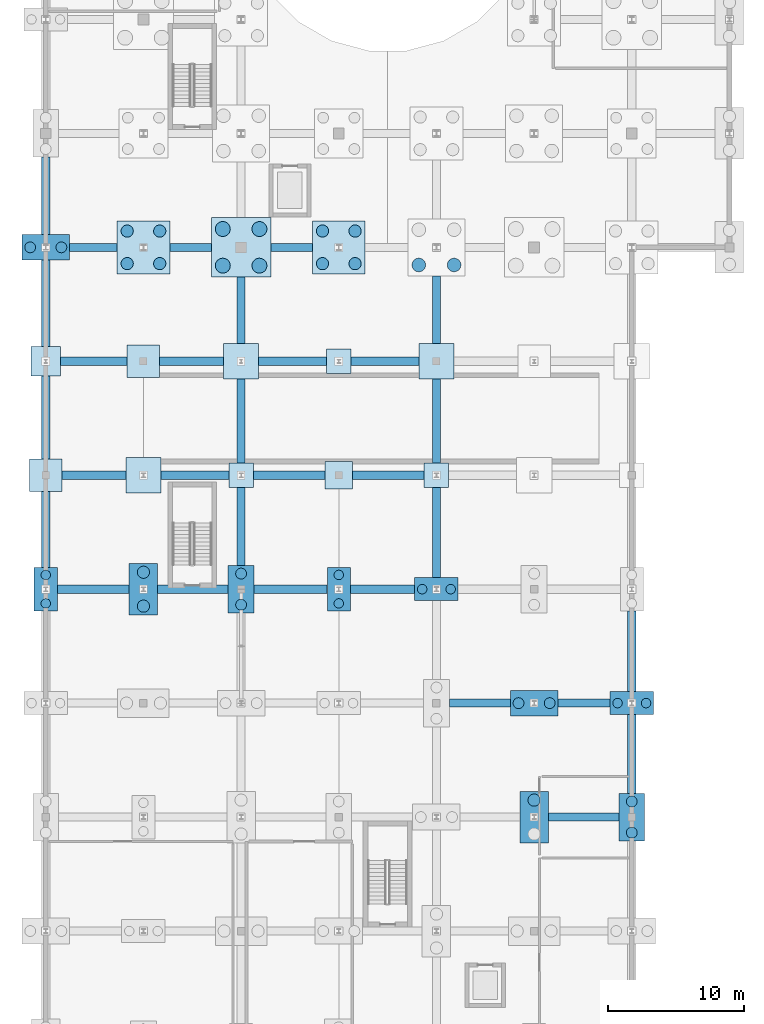
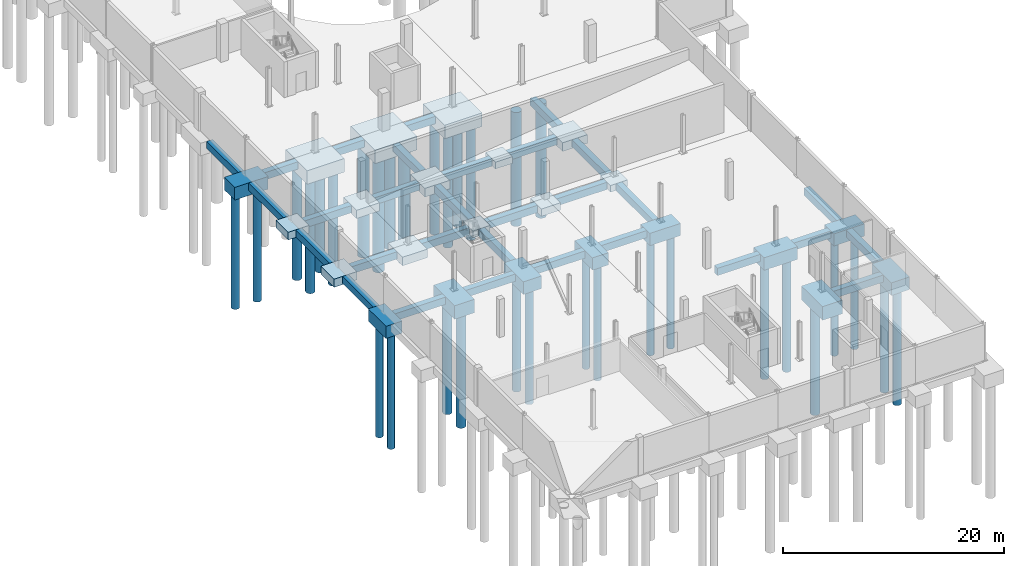
# One storey, part 2 of 32: 53 footings, 33 piles.
"""IFC4 building model written with IfcOpenShell, lengths in metres."""

from ifc_helpers import new_model, si_unit, direction, frame, origin, origin_2d, place, context, subcontext, project, spatial, polyline, rectangle, circle, outline, extrude, material, layer, layer_set, material_profile, profile_set, type_object, element, save


model = new_model("IFC4")

# Units and contexts
model_context = context("Model", 3, precision=1e-05, world=origin(), true_north=direction((0.0, 1.0)))
body_context = subcontext(model_context, "Body", "Model", "MODEL_VIEW")
ifc_project = project(units=[si_unit("LENGTHUNIT", "METRE"), si_unit("AREAUNIT", "SQUARE_METRE"), si_unit("VOLUMEUNIT", "CUBIC_METRE"), si_unit("PLANEANGLEUNIT", "RADIAN"), si_unit("MASSUNIT", "GRAM", prefix="KILO")], contexts=[model_context])

# Site, building, storey
site_placement = place(None, origin())
site = spatial("IfcSite", under=ifc_project, at=site_placement, CompositionType="ELEMENT")
building_placement = place(site_placement, origin())
building = spatial("IfcBuilding", under=site, at=building_placement, Name="Qelthora Terrace Specialist Clinic", CompositionType="ELEMENT")
storey_placement = place(building_placement, frame((0.0, 0.0, -4.199951171875)))
storey = spatial("IfcBuildingStorey", under=building, at=storey_placement, Name="B1", CompositionType="ELEMENT", Elevation=-4.199951171875)

# Footings
ifc_material = material(Name="Concrete C35/45", Category="concrete")
ifc_layer_1 = layer(ifc_material, 1.35009765625)
ifc_layer_set_1 = layer_set([ifc_layer_1], Name="Concrete C35/45")
footing_type_1 = type_object("IfcFootingType", Name="PC-1700X3200X1350", PredefinedType="PILE_CAP", material=ifc_layer_set_1)
for number, where, z_axis, x_axis, name in (
    (1, (0.0, 33.60009765625, -1.650146484375), (0.0, 0.0, 1.0), (1.0, 0.0, 0.0), "Foundation FTG-B1-005"),
    (2, (21.60009765625, 33.60009765625, -1.650146484375), (0.0, 0.0, 1.0), (1.0, 0.0, 0.0), "Foundation FTG-B1-047"),
):
    element("IfcFooting", number, at=place(storey_placement, frame(where, z_axis=z_axis, x_axis=x_axis)), inside=storey, type_object=footing_type_1, Name=name, PredefinedType="PILE_CAP", context=body_context, shape_type="SweptSolid", body=[
        extrude(rectangle(XDim=1.699951171875, YDim=3.199951171875, at=origin_2d()), origin(), (0.0, 0.0, 1.0), 1.35009765625),
    ])
ifc_layer_2 = layer(ifc_material, 1.39990234375)
ifc_layer_set_2 = layer_set([ifc_layer_2], Name="Concrete C35/45")
footing_type_2 = type_object("IfcFootingType", Name="PC-1900X3500X1400", PredefinedType="PILE_CAP", material=ifc_layer_set_2)
for number, where, z_axis, x_axis, name in (
    (3, (14.39990234375, 33.60009765625, -1.699951171875), (0.0, 0.0, 1.0), (1.0, 0.0, 0.0), "Foundation FTG-B1-033"),
    (4, (43.199951171875, 16.800048828125, -1.699951171875), (0.0, 0.0, 1.0), (1.0, 0.0, 0.0), "Foundation FTG-B1-081"),
):
    element("IfcFooting", number, at=place(storey_placement, frame(where, z_axis=z_axis, x_axis=x_axis)), inside=storey, type_object=footing_type_2, Name=name, PredefinedType="PILE_CAP", context=body_context, shape_type="SweptSolid", body=[
        extrude(rectangle(XDim=1.89990234375, YDim=3.5, at=origin_2d()), origin(), (0.0, 0.0, 1.0), 1.39990234375),
    ])
ifc_layer_3 = layer(ifc_material, 1.5)
ifc_layer_set_3 = layer_set([ifc_layer_3], Name="Concrete C35/45")
footing_type_3 = type_object("IfcFootingType", Name="PC-2100X3800X1500", PredefinedType="PILE_CAP", material=ifc_layer_set_3)
for number, where, z_axis, x_axis, name in (
    (5, (7.199951171875, 33.60009765625, -1.800048828125), (0.0, 0.0, 1.0), (1.0, 0.0, 0.0), "Foundation FTG-B1-019"),
    (6, (36.0, 16.800048828125, -1.800048828125), (0.0, 0.0, 1.0), (1.0, 0.0, 0.0), "Foundation FTG-B1-067"),
):
    element("IfcFooting", number, at=place(storey_placement, frame(where, z_axis=z_axis, x_axis=x_axis)), inside=storey, type_object=footing_type_3, Name=name, PredefinedType="PILE_CAP", context=body_context, shape_type="SweptSolid", body=[
        extrude(rectangle(XDim=2.10009765625, YDim=3.800048828125, at=origin_2d()), origin(), (0.0, 0.0, 1.0), 1.5),
    ])
ifc_layer_4 = layer(ifc_material, 1.35009765625)
ifc_layer_set_4 = layer_set([ifc_layer_4], Name="Concrete C35/45")
footing_type_4 = type_object("IfcFootingType", Name="PC-3200X1700X1350", PredefinedType="PILE_CAP", material=ifc_layer_set_4)
for number, where, z_axis, x_axis, name in (
    (7, (28.800048828125, 33.60009765625, -1.650146484375), (0.0, 0.0, 1.0), (1.0, 0.0, 0.0), "Foundation FTG-B1-058"),
    (8, (43.199951171875, 25.199951171875, -1.650146484375), (0.0, 0.0, 1.0), (1.0, 0.0, 0.0), "Foundation FTG-B1-082"),
):
    element("IfcFooting", number, at=place(storey_placement, frame(where, z_axis=z_axis, x_axis=x_axis)), inside=storey, type_object=footing_type_4, Name=name, PredefinedType="PILE_CAP", context=body_context, shape_type="SweptSolid", body=[
        extrude(rectangle(XDim=3.199951171875, YDim=1.699951171875, at=origin_2d()), origin(), (0.0, 0.0, 1.0), 1.35009765625),
    ])
ifc_layer_5 = layer(ifc_material, 1.39990234375)
ifc_layer_set_5 = layer_set([ifc_layer_5], Name="Concrete C35/45")
footing_type_5 = type_object("IfcFootingType", Name="PC-3500X1900X1400", PredefinedType="PILE_CAP", material=ifc_layer_set_5)
for number, where, z_axis, x_axis, name in (
    (9, (0.0, 58.800048828125, -1.699951171875), (0.0, 0.0, 1.0), (1.0, 0.0, 0.0), "Foundation FTG-B1-008"),
    (10, (36.0, 25.199951171875, -1.699951171875), (0.0, 0.0, 1.0), (1.0, 0.0, 0.0), "Foundation FTG-B1-068"),
):
    element("IfcFooting", number, at=place(storey_placement, frame(where, z_axis=z_axis, x_axis=x_axis)), inside=storey, type_object=footing_type_5, Name=name, PredefinedType="PILE_CAP", context=body_context, shape_type="SweptSolid", body=[
        extrude(rectangle(XDim=3.5, YDim=1.89990234375, at=origin_2d()), origin(), (0.0, 0.0, 1.0), 1.39990234375),
    ])
ifc_layer_6 = layer(ifc_material, 1.5)
ifc_layer_set_6 = layer_set([ifc_layer_6], Name="Concrete C35/45")
footing_type_6 = type_object("IfcFootingType", Name="PC-3900X3900X1500", PredefinedType="PILE_CAP", material=ifc_layer_set_6)
for number, where, z_axis, x_axis, name in (
    (11, (7.199951171875, 58.800048828125, -1.800048828125), (0.0, 0.0, 1.0), (1.0, 0.0, 0.0), "Foundation FTG-B1-022"),
    (12, (21.60009765625, 58.800048828125, -1.800048828125), (0.0, 0.0, 1.0), (1.0, 0.0, 0.0), "Foundation FTG-B1-050"),
):
    element("IfcFooting", number, at=place(storey_placement, frame(where, z_axis=z_axis, x_axis=x_axis)), inside=storey, type_object=footing_type_6, Name=name, PredefinedType="PILE_CAP", context=body_context, shape_type="SweptSolid", body=[
        extrude(rectangle(XDim=3.89990234375, YDim=3.89990234375, at=origin_2d()), origin(), (0.0, 0.0, 1.0), 1.5),
    ])
ifc_layer_7 = layer(ifc_material, 1.5)
ifc_layer_set_7 = layer_set([ifc_layer_7], Name="Concrete C35/45")
footing_type_7 = type_object("IfcFootingType", Name="PC-4400X4400X1500", PredefinedType="PILE_CAP", material=ifc_layer_set_7)
footing_1_placement = place(storey_placement, frame((14.39990234375, 58.800048828125, -1.800048828125), z_axis=(0.0, 0.0, 1.0), x_axis=(1.0, 0.0, 0.0)))
element("IfcFooting", 13, at=footing_1_placement, inside=storey, type_object=footing_type_7, Name="Foundation FTG-B1-036", PredefinedType="PILE_CAP", context=body_context, shape_type="SweptSolid", body=[
    extrude(rectangle(XDim=4.39990234375, YDim=4.39990234375, at=origin_2d()), origin(), (0.0, 0.0, 1.0), 1.5),
])
ifc_layer_8 = layer(ifc_material, 0.75)
ifc_layer_set_8 = layer_set([ifc_layer_8], Name="Concrete C35/45")
footing_type_8 = type_object("IfcFootingType", Name="PF-1800X1800X750", PredefinedType="PAD_FOOTING", material=ifc_layer_set_8)
for number, where, z_axis, x_axis, name in (
    (14, (14.39990234375, 42.0, -1.050048828125), (0.0, 0.0, 1.0), (1.0, 0.0, 0.0), "Foundation FTG-B1-034"),
    (15, (21.60009765625, 50.39990234375, -1.050048828125), (0.0, 0.0, 1.0), (1.0, 0.0, 0.0), "Foundation FTG-B1-049"),
    (16, (28.800048828125, 42.0, -1.050048828125), (0.0, 0.0, 1.0), (1.0, 0.0, 0.0), "Foundation FTG-B1-059"),
):
    element("IfcFooting", number, at=place(storey_placement, frame(where, z_axis=z_axis, x_axis=x_axis)), inside=storey, type_object=footing_type_8, Name=name, PredefinedType="PAD_FOOTING", context=body_context, shape_type="SweptSolid", body=[
        extrude(rectangle(XDim=1.800048828125, YDim=1.800048828125, at=origin_2d()), origin(), (0.0, 0.0, 1.0), 0.75),
    ])
ifc_layer_9 = layer(ifc_material, 0.800048828125)
ifc_layer_set_9 = layer_set([ifc_layer_9], Name="Concrete C35/45")
footing_type_9 = type_object("IfcFootingType", Name="PF-2000X2000X800", PredefinedType="PAD_FOOTING", material=ifc_layer_set_9)
footing_2_placement = place(storey_placement, frame((21.60009765625, 42.0, -1.10009765625), z_axis=(0.0, 0.0, 1.0), x_axis=(1.0, 0.0, 0.0)))
element("IfcFooting", 17, at=footing_2_placement, inside=storey, type_object=footing_type_9, Name="Foundation FTG-B1-048", PredefinedType="PAD_FOOTING", context=body_context, shape_type="SweptSolid", body=[
    extrude(rectangle(XDim=2.0, YDim=2.0, at=origin_2d()), origin(), (0.0, 0.0, 1.0), 0.800048828125),
])
ifc_layer_10 = layer(ifc_material, 0.85009765625)
ifc_layer_set_10 = layer_set([ifc_layer_10], Name="Concrete C35/45")
footing_type_10 = type_object("IfcFootingType", Name="PF-2200X2200X850", PredefinedType="PAD_FOOTING", material=ifc_layer_set_10)
footing_3_placement = place(storey_placement, frame((0.0, 50.39990234375, -1.150146484375), z_axis=(0.0, 0.0, 1.0), x_axis=(1.0, 0.0, 0.0)))
element("IfcFooting", 18, at=footing_3_placement, inside=storey, type_object=footing_type_10, Name="Foundation FTG-B1-007", PredefinedType="PAD_FOOTING", context=body_context, shape_type="SweptSolid", body=[
    extrude(rectangle(XDim=2.199951171875, YDim=2.199951171875, at=origin_2d()), origin(), (0.0, 0.0, 1.0), 0.85009765625),
])
ifc_layer_11 = layer(ifc_material, 0.89990234375)
ifc_layer_set_11 = layer_set([ifc_layer_11], Name="Concrete C35/45")
footing_type_11 = type_object("IfcFootingType", Name="PF-2400X2400X900", PredefinedType="PAD_FOOTING", material=ifc_layer_set_11)
for number, where, z_axis, x_axis, name in (
    (19, (0.0, 42.0, -1.199951171875), (0.0, 0.0, 1.0), (1.0, 0.0, 0.0), "Foundation FTG-B1-006"),
    (20, (7.199951171875, 50.39990234375, -1.199951171875), (0.0, 0.0, 1.0), (1.0, 0.0, 0.0), "Foundation FTG-B1-021"),
):
    element("IfcFooting", number, at=place(storey_placement, frame(where, z_axis=z_axis, x_axis=x_axis)), inside=storey, type_object=footing_type_11, Name=name, PredefinedType="PAD_FOOTING", context=body_context, shape_type="SweptSolid", body=[
        extrude(rectangle(XDim=2.39990234375, YDim=2.39990234375, at=origin_2d()), origin(), (0.0, 0.0, 1.0), 0.89990234375),
    ])
ifc_layer_12 = layer(ifc_material, 0.949951171875)
ifc_layer_set_12 = layer_set([ifc_layer_12], Name="Concrete C35/45")
footing_type_12 = type_object("IfcFootingType", Name="PF-2600X2600X950", PredefinedType="PAD_FOOTING", material=ifc_layer_set_12)
for number, where, z_axis, x_axis, name in (
    (21, (7.199951171875, 42.0, -1.25), (0.0, 0.0, 1.0), (1.0, 0.0, 0.0), "Foundation FTG-B1-020"),
    (22, (14.39990234375, 50.39990234375, -1.25), (0.0, 0.0, 1.0), (1.0, 0.0, 0.0), "Foundation FTG-B1-035"),
    (23, (28.800048828125, 50.39990234375, -1.25), (0.0, 0.0, 1.0), (1.0, 0.0, 0.0), "Foundation FTG-B1-060"),
):
    element("IfcFooting", number, at=place(storey_placement, frame(where, z_axis=z_axis, x_axis=x_axis)), inside=storey, type_object=footing_type_12, Name=name, PredefinedType="PAD_FOOTING", context=body_context, shape_type="SweptSolid", body=[
        extrude(rectangle(XDim=2.60009765625, YDim=2.60009765625, at=origin_2d()), origin(), (0.0, 0.0, 1.0), 0.949951171875),
    ])

# Piles
ifc_material_profile_1 = material_profile(ifc_material, circle(Radius=0.5, at=origin_2d()), Name="PILE1000")
ifc_profile_set_1 = profile_set([ifc_material_profile_1], Name="Concrete C35/45")
pile_type_1 = type_object("IfcPileType", Name="PILE-D1000-C35", PredefinedType="BORED", material=ifc_profile_set_1)
for number, where, z_axis, x_axis, name in (
    (24, (27.5, 57.5, -1.699951171875), (0.0, 0.0, -1.0), (1.0, 0.0, 0.0), "Bored pile PILE-B1-061-1"),
    (25, (30.10009765625, 57.5, -1.699951171875), (0.0, 0.0, -1.0), (1.0, 0.0, 0.0), "Bored pile PILE-B1-061-2"),
):
    element("IfcPile", number, at=place(storey_placement, frame(where, z_axis=z_axis, x_axis=x_axis)), inside=storey, type_object=pile_type_1, Name=name, PredefinedType="BORED", context=body_context, shape_type="SweptSolid", body=[
        extrude(circle(Radius=0.5, at=origin_2d()), origin(), (0.0, 0.0, 1.0), 12.60009765625),
    ])
ifc_material_profile_2 = material_profile(ifc_material, circle(Radius=0.550048828125, at=origin_2d()), Name="PILE1100")
ifc_profile_set_2 = profile_set([ifc_material_profile_2], Name="Concrete C35/45")
pile_type_2 = type_object("IfcPileType", Name="PILE-D1100-C35", PredefinedType="BORED", material=ifc_profile_set_2)
for number, where, z_axis, x_axis, name in (
    (26, (13.050048828125, 57.449951171875, -1.699951171875), (0.0, 0.0, -1.0), (1.0, 0.0, 0.0), "Bored pile PILE-B1-036-1"),
    (27, (15.75, 57.449951171875, -1.699951171875), (0.0, 0.0, -1.0), (1.0, 0.0, 0.0), "Bored pile PILE-B1-036-2"),
    (28, (13.050048828125, 60.14990234375, -1.699951171875), (0.0, 0.0, -1.0), (1.0, 0.0, 0.0), "Bored pile PILE-B1-036-3"),
    (29, (15.75, 60.14990234375, -1.699951171875), (0.0, 0.0, -1.0), (1.0, 0.0, 0.0), "Bored pile PILE-B1-036-4"),
):
    element("IfcPile", number, at=place(storey_placement, frame(where, z_axis=z_axis, x_axis=x_axis)), inside=storey, type_object=pile_type_2, Name=name, PredefinedType="BORED", context=body_context, shape_type="SweptSolid", body=[
        extrude(circle(Radius=0.550048828125, at=origin_2d()), origin(), (0.0, 0.0, 1.0), 12.60009765625),
    ])
ifc_material_profile_3 = material_profile(ifc_material, circle(Radius=0.35009765625, at=origin_2d()), Name="PILE700")
ifc_profile_set_3 = profile_set([ifc_material_profile_3], Name="Concrete C35/45")
pile_type_3 = type_object("IfcPileType", Name="PILE-D700-C35", PredefinedType="BORED", material=ifc_profile_set_3)
for number, where, z_axis, x_axis, name in (
    (30, (0.0, 32.550048828125, -1.550048828125), (0.0, 0.0, -1.0), (1.0, 0.0, 0.0), "Bored pile PILE-B1-005-1"),
    (31, (0.0, 34.64990234375, -1.550048828125), (0.0, 0.0, -1.0), (1.0, 0.0, 0.0), "Bored pile PILE-B1-005-2"),
    (32, (21.60009765625, 32.550048828125, -1.550048828125), (0.0, 0.0, -1.0), (1.0, 0.0, 0.0), "Bored pile PILE-B1-047-1"),
    (33, (21.60009765625, 34.64990234375, -1.550048828125), (0.0, 0.0, -1.0), (1.0, 0.0, 0.0), "Bored pile PILE-B1-047-2"),
    (34, (27.75, 33.60009765625, -1.550048828125), (0.0, 0.0, -1.0), (1.0, 0.0, 0.0), "Bored pile PILE-B1-058-1"),
    (35, (29.85009765625, 33.60009765625, -1.550048828125), (0.0, 0.0, -1.0), (1.0, 0.0, 0.0), "Bored pile PILE-B1-058-2"),
    (36, (42.14990234375, 25.199951171875, -1.550048828125), (0.0, 0.0, -1.0), (1.0, 0.0, 0.0), "Bored pile PILE-B1-082-1"),
    (37, (44.25, 25.199951171875, -1.550048828125), (0.0, 0.0, -1.0), (1.0, 0.0, 0.0), "Bored pile PILE-B1-082-2"),
):
    element("IfcPile", number, at=place(storey_placement, frame(where, z_axis=z_axis, x_axis=x_axis)), inside=storey, type_object=pile_type_3, Name=name, PredefinedType="BORED", context=body_context, shape_type="SweptSolid", body=[
        extrude(circle(Radius=0.35009765625, at=origin_2d()), origin(), (0.0, 0.0, 1.0), 12.75),
    ])
ifc_material_profile_4 = material_profile(ifc_material, circle(Radius=0.39990234375, at=origin_2d()), Name="PILE800")
ifc_profile_set_4 = profile_set([ifc_material_profile_4], Name="Concrete C35/45")
pile_type_4 = type_object("IfcPileType", Name="PILE-D800-C35", PredefinedType="BORED", material=ifc_profile_set_4)
for number, where, z_axis, x_axis, name in (
    (38, (-1.14990234375, 58.800048828125, -1.60009765625), (0.0, 0.0, -1.0), (1.0, 0.0, 0.0), "Bored pile PILE-B1-008-1"),
    (39, (1.14990234375, 58.800048828125, -1.60009765625), (0.0, 0.0, -1.0), (1.0, 0.0, 0.0), "Bored pile PILE-B1-008-2"),
    (40, (14.39990234375, 32.449951171875, -1.60009765625), (0.0, 0.0, -1.0), (1.0, 0.0, 0.0), "Bored pile PILE-B1-033-1"),
    (41, (14.39990234375, 34.75, -1.60009765625), (0.0, 0.0, -1.0), (1.0, 0.0, 0.0), "Bored pile PILE-B1-033-2"),
    (42, (34.85009765625, 25.199951171875, -1.60009765625), (0.0, 0.0, -1.0), (1.0, 0.0, 0.0), "Bored pile PILE-B1-068-1"),
    (43, (37.14990234375, 25.199951171875, -1.60009765625), (0.0, 0.0, -1.0), (1.0, 0.0, 0.0), "Bored pile PILE-B1-068-2"),
    (44, (43.199951171875, 15.64990234375, -1.60009765625), (0.0, 0.0, -1.0), (1.0, 0.0, 0.0), "Bored pile PILE-B1-081-1"),
    (45, (43.199951171875, 17.949951171875, -1.60009765625), (0.0, 0.0, -1.0), (1.0, 0.0, 0.0), "Bored pile PILE-B1-081-2"),
):
    element("IfcPile", number, at=place(storey_placement, frame(where, z_axis=z_axis, x_axis=x_axis)), inside=storey, type_object=pile_type_4, Name=name, PredefinedType="BORED", context=body_context, shape_type="SweptSolid", body=[
        extrude(circle(Radius=0.39990234375, at=origin_2d()), origin(), (0.0, 0.0, 1.0), 12.699951171875),
    ])
ifc_material_profile_5 = material_profile(ifc_material, circle(Radius=0.449951171875, at=origin_2d()), Name="PILE900")
ifc_profile_set_5 = profile_set([ifc_material_profile_5], Name="Concrete C35/45")
pile_type_5 = type_object("IfcPileType", Name="PILE-D900-C35", PredefinedType="BORED", material=ifc_profile_set_5)
for number, where, z_axis, x_axis, name in (
    (46, (7.199951171875, 32.35009765625, -1.699951171875), (0.0, 0.0, -1.0), (1.0, 0.0, 0.0), "Bored pile PILE-B1-019-1"),
    (47, (7.199951171875, 34.85009765625, -1.699951171875), (0.0, 0.0, -1.0), (1.0, 0.0, 0.0), "Bored pile PILE-B1-019-2"),
    (48, (6.0, 57.60009765625, -1.699951171875), (0.0, 0.0, -1.0), (1.0, 0.0, 0.0), "Bored pile PILE-B1-022-1"),
    (49, (8.39990234375, 57.60009765625, -1.699951171875), (0.0, 0.0, -1.0), (1.0, 0.0, 0.0), "Bored pile PILE-B1-022-2"),
    (50, (6.0, 60.0, -1.699951171875), (0.0, 0.0, -1.0), (1.0, 0.0, 0.0), "Bored pile PILE-B1-022-3"),
    (51, (8.39990234375, 60.0, -1.699951171875), (0.0, 0.0, -1.0), (1.0, 0.0, 0.0), "Bored pile PILE-B1-022-4"),
    (52, (20.39990234375, 57.60009765625, -1.699951171875), (0.0, 0.0, -1.0), (1.0, 0.0, 0.0), "Bored pile PILE-B1-050-1"),
    (53, (22.800048828125, 57.60009765625, -1.699951171875), (0.0, 0.0, -1.0), (1.0, 0.0, 0.0), "Bored pile PILE-B1-050-2"),
    (54, (20.39990234375, 60.0, -1.699951171875), (0.0, 0.0, -1.0), (1.0, 0.0, 0.0), "Bored pile PILE-B1-050-3"),
    (55, (22.800048828125, 60.0, -1.699951171875), (0.0, 0.0, -1.0), (1.0, 0.0, 0.0), "Bored pile PILE-B1-050-4"),
    (56, (36.0, 18.050048828125, -1.699951171875), (0.0, 0.0, -1.0), (1.0, 0.0, 0.0), "Bored pile PILE-B1-067-2"),
):
    element("IfcPile", number, at=place(storey_placement, frame(where, z_axis=z_axis, x_axis=x_axis)), inside=storey, type_object=pile_type_5, Name=name, PredefinedType="BORED", context=body_context, shape_type="SweptSolid", body=[
        extrude(circle(Radius=0.449951171875, at=origin_2d()), origin(), (0.0, 0.0, 1.0), 12.60009765625),
    ])

# Footings
ifc_layer_13 = layer(ifc_material, 0.800048828125)
ifc_layer_set_13 = layer_set([ifc_layer_13], Name="Concrete C35/45")
footing_type_13 = type_object("IfcFootingType", Name="SF-600X800-C35", PredefinedType="STRIP_FOOTING", material=ifc_layer_set_13)
footing_4_placement = place(storey_placement, frame((0.0, 0.0, -1.10009765625)))
element("IfcFooting", 57, at=footing_4_placement, inside=storey, type_object=footing_type_13, Name="Foundation tie strip SF-X-009", PredefinedType="STRIP_FOOTING", context=body_context, shape_type="SweptSolid", body=[
    extrude(outline(polyline([(0.85009765625, 33.300048828125), (6.14990234375, 33.300048828125), (6.14990234375, 33.89990234375), (0.85009765625, 33.89990234375), (0.85009765625, 33.300048828125)])), origin(), (0.0, 0.0, 1.0), 0.800048828125),
])
footing_5_placement = place(storey_placement, frame((0.0, 0.0, -1.10009765625)))
element("IfcFooting", 58, at=footing_5_placement, inside=storey, type_object=footing_type_13, Name="Foundation tie strip SF-Y-010", PredefinedType="STRIP_FOOTING", context=body_context, shape_type="SweptSolid", body=[
    extrude(outline(polyline([(-0.300048828125, 35.199951171875), (0.300048828125, 35.199951171875), (0.300048828125, 40.800048828125), (-0.300048828125, 40.800048828125), (-0.300048828125, 35.199951171875)])), origin(), (0.0, 0.0, 1.0), 0.800048828125),
])
footing_6_placement = place(storey_placement, frame((0.0, 0.0, -1.10009765625)))
element("IfcFooting", 59, at=footing_6_placement, inside=storey, type_object=footing_type_13, Name="Foundation tie strip SF-X-011", PredefinedType="STRIP_FOOTING", context=body_context, shape_type="SweptSolid", body=[
    extrude(outline(polyline([(1.199951171875, 41.699951171875), (5.89990234375, 41.699951171875), (5.89990234375, 42.300048828125), (1.199951171875, 42.300048828125), (1.199951171875, 41.699951171875)])), origin(), (0.0, 0.0, 1.0), 0.800048828125),
])
footing_7_placement = place(storey_placement, frame((0.0, 0.0, -1.10009765625)))
element("IfcFooting", 60, at=footing_7_placement, inside=storey, type_object=footing_type_13, Name="Foundation tie strip SF-Y-012", PredefinedType="STRIP_FOOTING", context=body_context, shape_type="SweptSolid", body=[
    extrude(outline(polyline([(-0.300048828125, 43.199951171875), (0.300048828125, 43.199951171875), (0.300048828125, 49.300048828125), (-0.300048828125, 49.300048828125), (-0.300048828125, 43.199951171875)])), origin(), (0.0, 0.0, 1.0), 0.800048828125),
])
footing_8_placement = place(storey_placement, frame((0.0, 0.0, -1.10009765625)))
element("IfcFooting", 61, at=footing_8_placement, inside=storey, type_object=footing_type_13, Name="Foundation tie strip SF-X-013", PredefinedType="STRIP_FOOTING", context=body_context, shape_type="SweptSolid", body=[
    extrude(outline(polyline([(1.10009765625, 50.10009765625), (6.0, 50.10009765625), (6.0, 50.699951171875), (1.10009765625, 50.699951171875), (1.10009765625, 50.10009765625)])), origin(), (0.0, 0.0, 1.0), 0.800048828125),
])
footing_9_placement = place(storey_placement, frame((0.0, 0.0, -1.10009765625)))
element("IfcFooting", 62, at=footing_9_placement, inside=storey, type_object=footing_type_13, Name="Foundation tie strip SF-Y-014", PredefinedType="STRIP_FOOTING", context=body_context, shape_type="SweptSolid", body=[
    extrude(outline(polyline([(-0.300048828125, 51.5), (0.300048828125, 51.5), (0.300048828125, 57.85009765625), (-0.300048828125, 57.85009765625), (-0.300048828125, 51.5)])), origin(), (0.0, 0.0, 1.0), 0.800048828125),
])
footing_10_placement = place(storey_placement, frame((0.0, 0.0, -1.10009765625)))
element("IfcFooting", 63, at=footing_10_placement, inside=storey, type_object=footing_type_13, Name="Foundation tie strip SF-X-015", PredefinedType="STRIP_FOOTING", context=body_context, shape_type="SweptSolid", body=[
    extrude(outline(polyline([(1.75, 58.5), (5.25, 58.5), (5.25, 59.10009765625), (1.75, 59.10009765625), (1.75, 58.5)])), origin(), (0.0, 0.0, 1.0), 0.800048828125),
])
footing_11_placement = place(storey_placement, frame((0.0, 0.0, -1.10009765625)))
element("IfcFooting", 64, at=footing_11_placement, inside=storey, type_object=footing_type_13, Name="Foundation tie strip SF-Y-016", PredefinedType="STRIP_FOOTING", context=body_context, shape_type="SweptSolid", body=[
    extrude(outline(polyline([(-0.300048828125, 59.75), (0.300048828125, 59.75), (0.300048828125, 65.449951171875), (-0.300048828125, 65.449951171875), (-0.300048828125, 59.75)])), origin(), (0.0, 0.0, 1.0), 0.800048828125),
])
footing_12_placement = place(storey_placement, frame((0.0, 0.0, -1.10009765625)))
element("IfcFooting", 65, at=footing_12_placement, inside=storey, type_object=footing_type_13, Name="Foundation tie strip SF-X-032", PredefinedType="STRIP_FOOTING", context=body_context, shape_type="SweptSolid", body=[
    extrude(outline(polyline([(8.25, 33.300048828125), (13.449951171875, 33.300048828125), (13.449951171875, 33.89990234375), (8.25, 33.89990234375), (8.25, 33.300048828125)])), origin(), (0.0, 0.0, 1.0), 0.800048828125),
])
footing_13_placement = place(storey_placement, frame((0.0, 0.0, -1.10009765625)))
element("IfcFooting", 66, at=footing_13_placement, inside=storey, type_object=footing_type_13, Name="Foundation tie strip SF-X-033", PredefinedType="STRIP_FOOTING", context=body_context, shape_type="SweptSolid", body=[
    extrude(outline(polyline([(8.5, 41.699951171875), (13.5, 41.699951171875), (13.5, 42.300048828125), (8.5, 42.300048828125), (8.5, 41.699951171875)])), origin(), (0.0, 0.0, 1.0), 0.800048828125),
])
footing_14_placement = place(storey_placement, frame((0.0, 0.0, -1.10009765625)))
element("IfcFooting", 67, at=footing_14_placement, inside=storey, type_object=footing_type_13, Name="Foundation tie strip SF-X-034", PredefinedType="STRIP_FOOTING", context=body_context, shape_type="SweptSolid", body=[
    extrude(outline(polyline([(8.39990234375, 50.10009765625), (13.10009765625, 50.10009765625), (13.10009765625, 50.699951171875), (8.39990234375, 50.699951171875), (8.39990234375, 50.10009765625)])), origin(), (0.0, 0.0, 1.0), 0.800048828125),
])
footing_15_placement = place(storey_placement, frame((0.0, 0.0, -1.10009765625)))
element("IfcFooting", 68, at=footing_15_placement, inside=storey, type_object=footing_type_13, Name="Foundation tie strip SF-X-035", PredefinedType="STRIP_FOOTING", context=body_context, shape_type="SweptSolid", body=[
    extrude(outline(polyline([(9.14990234375, 58.5), (12.199951171875, 58.5), (12.199951171875, 59.10009765625), (9.14990234375, 59.10009765625), (9.14990234375, 58.5)])), origin(), (0.0, 0.0, 1.0), 0.800048828125),
])
footing_16_placement = place(storey_placement, frame((0.0, 0.0, -1.10009765625)))
element("IfcFooting", 69, at=footing_16_placement, inside=storey, type_object=footing_type_13, Name="Foundation tie strip SF-X-050", PredefinedType="STRIP_FOOTING", context=body_context, shape_type="SweptSolid", body=[
    extrude(outline(polyline([(15.35009765625, 33.300048828125), (20.75, 33.300048828125), (20.75, 33.89990234375), (15.35009765625, 33.89990234375), (15.35009765625, 33.300048828125)])), origin(), (0.0, 0.0, 1.0), 0.800048828125),
])
footing_17_placement = place(storey_placement, frame((0.0, 0.0, -1.10009765625)))
element("IfcFooting", 70, at=footing_17_placement, inside=storey, type_object=footing_type_13, Name="Foundation tie strip SF-Y-051", PredefinedType="STRIP_FOOTING", context=body_context, shape_type="SweptSolid", body=[
    extrude(outline(polyline([(14.10009765625, 35.35009765625), (14.699951171875, 35.35009765625), (14.699951171875, 41.10009765625), (14.10009765625, 41.10009765625), (14.10009765625, 35.35009765625)])), origin(), (0.0, 0.0, 1.0), 0.800048828125),
])
footing_18_placement = place(storey_placement, frame((0.0, 0.0, -1.10009765625)))
element("IfcFooting", 71, at=footing_18_placement, inside=storey, type_object=footing_type_13, Name="Foundation tie strip SF-X-052", PredefinedType="STRIP_FOOTING", context=body_context, shape_type="SweptSolid", body=[
    extrude(outline(polyline([(15.300048828125, 41.699951171875), (20.60009765625, 41.699951171875), (20.60009765625, 42.300048828125), (15.300048828125, 42.300048828125), (15.300048828125, 41.699951171875)])), origin(), (0.0, 0.0, 1.0), 0.800048828125),
])
footing_19_placement = place(storey_placement, frame((0.0, 0.0, -1.10009765625)))
element("IfcFooting", 72, at=footing_19_placement, inside=storey, type_object=footing_type_13, Name="Foundation tie strip SF-Y-053", PredefinedType="STRIP_FOOTING", context=body_context, shape_type="SweptSolid", body=[
    extrude(outline(polyline([(14.10009765625, 42.89990234375), (14.699951171875, 42.89990234375), (14.699951171875, 49.10009765625), (14.10009765625, 49.10009765625), (14.10009765625, 42.89990234375)])), origin(), (0.0, 0.0, 1.0), 0.800048828125),
])
footing_20_placement = place(storey_placement, frame((0.0, 0.0, -1.10009765625)))
element("IfcFooting", 73, at=footing_20_placement, inside=storey, type_object=footing_type_13, Name="Foundation tie strip SF-X-054", PredefinedType="STRIP_FOOTING", context=body_context, shape_type="SweptSolid", body=[
    extrude(outline(polyline([(15.699951171875, 50.10009765625), (20.699951171875, 50.10009765625), (20.699951171875, 50.699951171875), (15.699951171875, 50.699951171875), (15.699951171875, 50.10009765625)])), origin(), (0.0, 0.0, 1.0), 0.800048828125),
])
footing_21_placement = place(storey_placement, frame((0.0, 0.0, -1.10009765625)))
element("IfcFooting", 74, at=footing_21_placement, inside=storey, type_object=footing_type_13, Name="Foundation tie strip SF-Y-055", PredefinedType="STRIP_FOOTING", context=body_context, shape_type="SweptSolid", body=[
    extrude(outline(polyline([(14.10009765625, 51.699951171875), (14.699951171875, 51.699951171875), (14.699951171875, 56.60009765625), (14.10009765625, 56.60009765625), (14.10009765625, 51.699951171875)])), origin(), (0.0, 0.0, 1.0), 0.800048828125),
])
footing_22_placement = place(storey_placement, frame((0.0, 0.0, -1.10009765625)))
element("IfcFooting", 75, at=footing_22_placement, inside=storey, type_object=footing_type_13, Name="Foundation tie strip SF-X-056", PredefinedType="STRIP_FOOTING", context=body_context, shape_type="SweptSolid", body=[
    extrude(outline(polyline([(16.60009765625, 58.5), (19.64990234375, 58.5), (19.64990234375, 59.10009765625), (16.60009765625, 59.10009765625), (16.60009765625, 58.5)])), origin(), (0.0, 0.0, 1.0), 0.800048828125),
])
footing_23_placement = place(storey_placement, frame((0.0, 0.0, -1.10009765625)))
element("IfcFooting", 76, at=footing_23_placement, inside=storey, type_object=footing_type_13, Name="Foundation tie strip SF-X-070", PredefinedType="STRIP_FOOTING", context=body_context, shape_type="SweptSolid", body=[
    extrude(outline(polyline([(22.449951171875, 33.300048828125), (27.199951171875, 33.300048828125), (27.199951171875, 33.89990234375), (22.449951171875, 33.89990234375), (22.449951171875, 33.300048828125)])), origin(), (0.0, 0.0, 1.0), 0.800048828125),
])
footing_24_placement = place(storey_placement, frame((0.0, 0.0, -1.10009765625)))
element("IfcFooting", 77, at=footing_24_placement, inside=storey, type_object=footing_type_13, Name="Foundation tie strip SF-X-071", PredefinedType="STRIP_FOOTING", context=body_context, shape_type="SweptSolid", body=[
    extrude(outline(polyline([(22.60009765625, 41.699951171875), (27.89990234375, 41.699951171875), (27.89990234375, 42.300048828125), (22.60009765625, 42.300048828125), (22.60009765625, 41.699951171875)])), origin(), (0.0, 0.0, 1.0), 0.800048828125),
])
footing_25_placement = place(storey_placement, frame((0.0, 0.0, -1.10009765625)))
element("IfcFooting", 78, at=footing_25_placement, inside=storey, type_object=footing_type_13, Name="Foundation tie strip SF-X-072", PredefinedType="STRIP_FOOTING", context=body_context, shape_type="SweptSolid", body=[
    extrude(outline(polyline([(22.5, 50.10009765625), (27.5, 50.10009765625), (27.5, 50.699951171875), (22.5, 50.699951171875), (22.5, 50.10009765625)])), origin(), (0.0, 0.0, 1.0), 0.800048828125),
])
footing_26_placement = place(storey_placement, frame((0.0, 0.0, -1.10009765625)))
element("IfcFooting", 79, at=footing_26_placement, inside=storey, type_object=footing_type_13, Name="Foundation tie strip SF-X-083", PredefinedType="STRIP_FOOTING", context=body_context, shape_type="SweptSolid", body=[
    extrude(outline(polyline([(29.75, 24.89990234375), (34.25, 24.89990234375), (34.25, 25.5), (29.75, 25.5), (29.75, 24.89990234375)])), origin(), (0.0, 0.0, 1.0), 0.800048828125),
])
footing_27_placement = place(storey_placement, frame((0.0, 0.0, -1.10009765625)))
element("IfcFooting", 80, at=footing_27_placement, inside=storey, type_object=footing_type_13, Name="Foundation tie strip SF-Y-086", PredefinedType="STRIP_FOOTING", context=body_context, shape_type="SweptSolid", body=[
    extrude(outline(polyline([(28.5, 34.449951171875), (29.10009765625, 34.449951171875), (29.10009765625, 41.10009765625), (28.5, 41.10009765625), (28.5, 34.449951171875)])), origin(), (0.0, 0.0, 1.0), 0.800048828125),
])
footing_28_placement = place(storey_placement, frame((0.0, 0.0, -1.10009765625)))
element("IfcFooting", 81, at=footing_28_placement, inside=storey, type_object=footing_type_13, Name="Foundation tie strip SF-Y-088", PredefinedType="STRIP_FOOTING", context=body_context, shape_type="SweptSolid", body=[
    extrude(outline(polyline([(28.5, 42.89990234375), (29.10009765625, 42.89990234375), (29.10009765625, 49.10009765625), (28.5, 49.10009765625), (28.5, 42.89990234375)])), origin(), (0.0, 0.0, 1.0), 0.800048828125),
])
footing_29_placement = place(storey_placement, frame((0.0, 0.0, -1.10009765625)))
element("IfcFooting", 82, at=footing_29_placement, inside=storey, type_object=footing_type_13, Name="Foundation tie strip SF-Y-090", PredefinedType="STRIP_FOOTING", context=body_context, shape_type="SweptSolid", body=[
    extrude(outline(polyline([(28.5, 51.699951171875), (29.10009765625, 51.699951171875), (29.10009765625, 56.699951171875), (28.5, 56.699951171875), (28.5, 51.699951171875)])), origin(), (0.0, 0.0, 1.0), 0.800048828125),
])
footing_30_placement = place(storey_placement, frame((0.0, 0.0, -1.10009765625)))
element("IfcFooting", 83, at=footing_30_placement, inside=storey, type_object=footing_type_13, Name="Foundation tie strip SF-X-099", PredefinedType="STRIP_FOOTING", context=body_context, shape_type="SweptSolid", body=[
    extrude(outline(polyline([(37.050048828125, 16.5), (42.25, 16.5), (42.25, 17.10009765625), (37.050048828125, 17.10009765625), (37.050048828125, 16.5)])), origin(), (0.0, 0.0, 1.0), 0.800048828125),
])
footing_31_placement = place(storey_placement, frame((0.0, 0.0, -1.10009765625)))
element("IfcFooting", 84, at=footing_31_placement, inside=storey, type_object=footing_type_13, Name="Foundation tie strip SF-X-100", PredefinedType="STRIP_FOOTING", context=body_context, shape_type="SweptSolid", body=[
    extrude(outline(polyline([(37.75, 24.89990234375), (41.60009765625, 24.89990234375), (41.60009765625, 25.5), (37.75, 25.5), (37.75, 24.89990234375)])), origin(), (0.0, 0.0, 1.0), 0.800048828125),
])
footing_32_placement = place(storey_placement, frame((0.0, 0.0, -1.10009765625)))
element("IfcFooting", 85, at=footing_32_placement, inside=storey, type_object=footing_type_13, Name="Foundation tie strip SF-Y-113", PredefinedType="STRIP_FOOTING", context=body_context, shape_type="SweptSolid", body=[
    extrude(outline(polyline([(42.89990234375, 18.550048828125), (43.5, 18.550048828125), (43.5, 24.35009765625), (42.89990234375, 24.35009765625), (42.89990234375, 18.550048828125)])), origin(), (0.0, 0.0, 1.0), 0.800048828125),
])
footing_33_placement = place(storey_placement, frame((0.0, 0.0, -1.10009765625)))
element("IfcFooting", 86, at=footing_33_placement, inside=storey, type_object=footing_type_13, Name="Foundation tie strip SF-Y-114", PredefinedType="STRIP_FOOTING", context=body_context, shape_type="SweptSolid", body=[
    extrude(outline(polyline([(42.89990234375, 26.050048828125), (43.5, 26.050048828125), (43.5, 32.0), (42.89990234375, 32.0), (42.89990234375, 26.050048828125)])), origin(), (0.0, 0.0, 1.0), 0.800048828125),
])

save(model, "model.ifc")
